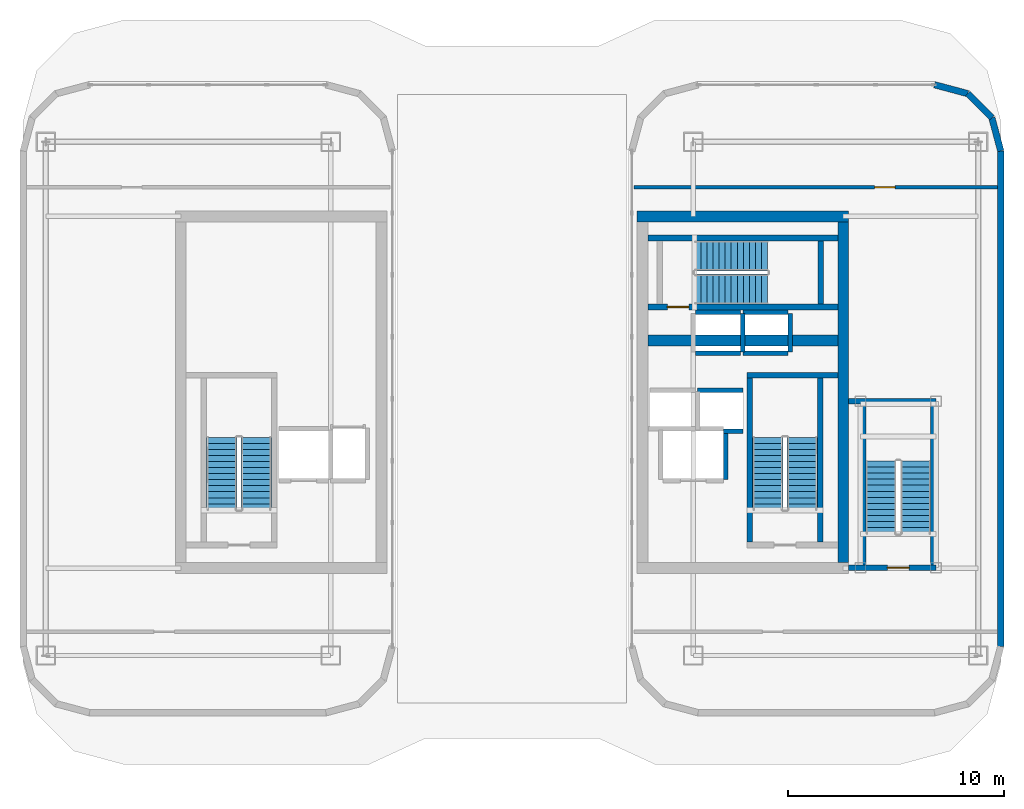
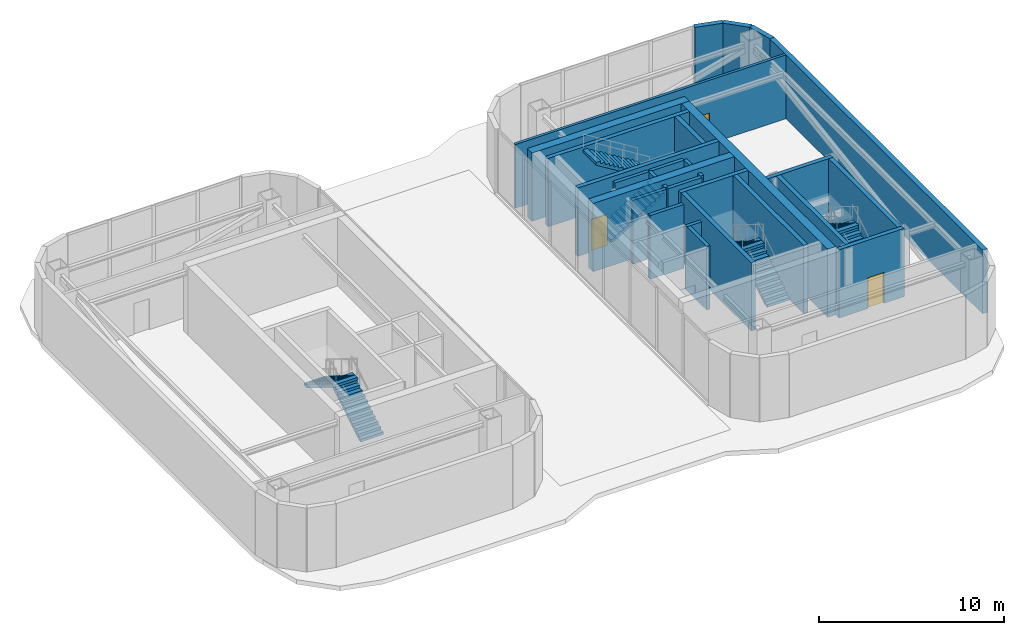
# One storey, part 12 of 14: 27 walls, 8 stair flights, 3 doors, 3 openings, 4 elements without a shape of their own.
"""IFC4 building model written with IfcOpenShell, lengths in metres."""

from ifc_helpers import new_model, si_unit, direction, frame, frame_2d, origin, place, context, subcontext, project, spatial, polyline, rectangle, outline, extrude, material, layer, layer_set, type_object, element, fill, aggregate, save


model = new_model("IFC4")

# Units and contexts
model_context = context("Model", 3, precision=1e-05, world=origin(), true_north=direction((0.0, 1.0)))
body_context = subcontext(model_context, "Body", "Model", "MODEL_VIEW")
ifc_project = project(units=[si_unit("LENGTHUNIT", "METRE"), si_unit("AREAUNIT", "SQUARE_METRE"), si_unit("VOLUMEUNIT", "CUBIC_METRE"), si_unit("PLANEANGLEUNIT", "RADIAN"), si_unit("MASSUNIT", "GRAM", prefix="KILO")], contexts=[model_context])

# Site, building, storey
site_placement = place(None, origin())
site = spatial("IfcSite", under=ifc_project, at=site_placement, CompositionType="ELEMENT")
building_placement = place(site_placement, origin())
building = spatial("IfcBuilding", under=site, at=building_placement, Name="Kiyonajd Concourse Tower", CompositionType="ELEMENT")
storey_placement = place(building_placement, frame((0.0, 0.0, 354.89990234375)))
storey = spatial("IfcBuildingStorey", under=building, at=storey_placement, Name="L89", CompositionType="ELEMENT", Elevation=354.89990234375)

# Walls
ifc_material_1 = material(Name="Concrete C60/75", Category="concrete")
ifc_layer_1 = layer(ifc_material_1, 0.5)
ifc_layer_set_1 = layer_set([ifc_layer_1], Name="Concrete C60/75")
wall_type_1 = type_object("IfcWallType", Name="WL-CORE-500", PredefinedType="SHEAR", material=ifc_layer_set_1)
wall_1_placement = place(storey_placement, frame((63.35009765625, 28.10009765625, 0.0), z_axis=(0.0, 0.0, 1.0), x_axis=(0.0, 1.0, 0.0)))
element("IfcWall", 1, at=wall_1_placement, inside=storey, type_object=wall_type_1, Name="L89 East Crown Outer Core Wall", PredefinedType="SHEAR", context=body_context, shape_type="SweptSolid", body=[
    extrude(rectangle(XDim=15.7998046875, YDim=0.5, at=frame_2d((7.89990234375, 0.0))), origin(), (0.0, 0.0, 1.0), 4.5),
])
wall_2_placement = place(storey_placement, frame((53.800048828125, 44.14990234375, 0.0), z_axis=(0.0, 0.0, 1.0), x_axis=(1.0, 0.0, 0.0)))
element("IfcWall", 2, at=wall_2_placement, inside=storey, type_object=wall_type_1, Name="L89 East Crown North Core Wall", PredefinedType="SHEAR", context=body_context, shape_type="SweptSolid", body=[
    extrude(rectangle(XDim=9.800048828125, YDim=0.5, at=frame_2d((4.89990234375, 0.0))), origin(), (0.0, 0.0, 1.0), 4.5),
])
wall_3_placement = place(storey_placement, frame((54.300048828125, 38.39990234375, 0.0), z_axis=(0.0, 0.0, 1.0), x_axis=(1.0, 0.0, 0.0)))
element("IfcWall", 3, at=wall_3_placement, inside=storey, type_object=wall_type_1, Name="L89 East Crown Mast Cross Shear Wall", PredefinedType="SHEAR", context=body_context, shape_type="SweptSolid", body=[
    extrude(rectangle(XDim=8.800048828125, YDim=0.5, at=frame_2d((4.39990234375, 0.0))), origin(), (0.0, 0.0, 1.0), 4.5),
])
ifc_material_2 = material(Name="Precast concrete C50/60", Category="concrete")
ifc_layer_2 = layer(ifc_material_2, 0.300048828125)
ifc_layer_set_2 = layer_set([ifc_layer_2], Name="Precast concrete C50/60")
wall_type_2 = type_object("IfcWallType", Name="WL-CRN-300", PredefinedType="SOLIDWALL", material=ifc_layer_set_2)
wall_4_placement = place(storey_placement, frame((67.580078125, 50.25, 0.0), z_axis=(0.0, 0.0, 1.0), x_axis=(0.96587363116, -0.259013761467, 0.0)))
element("IfcWall", 4, at=wall_4_placement, inside=storey, type_object=wall_type_2, Name="L89 E Crown Enclosure Wall 06", PredefinedType="SOLIDWALL", context=body_context, shape_type="SweptSolid", body=[
    extrude(rectangle(XDim=1.5966796875, YDim=0.300048828125, at=frame_2d((0.79833984375, 0.0))), origin(), (0.0, 0.0, 1.0), 4.2001953125),
])
wall_5_placement = place(storey_placement, frame((69.122314453125, 49.83642578125, 0.0), z_axis=(0.0, 0.0, 1.0), x_axis=(0.707184251115, -0.707029302769, 0.0)))
element("IfcWall", 5, at=wall_5_placement, inside=storey, type_object=wall_type_2, Name="L89 E Crown Enclosure Wall 07", PredefinedType="SOLIDWALL", context=body_context, shape_type="SweptSolid", body=[
    extrude(rectangle(XDim=1.57568359375, YDim=0.300048828125, at=frame_2d((0.787841796875, 0.0))), origin(), (0.0, 0.0, 1.0), 4.2001953125),
])
wall_6_placement = place(storey_placement, frame((70.236572265625, 48.722412109375, 0.0), z_axis=(0.0, 0.0, 1.0), x_axis=(0.258871110129, -0.965911874003, 0.0)))
element("IfcWall", 6, at=wall_6_placement, inside=storey, type_object=wall_type_2, Name="L89 E Crown Enclosure Wall 08", PredefinedType="SOLIDWALL", context=body_context, shape_type="SweptSolid", body=[
    extrude(rectangle(XDim=1.5966796875, YDim=0.300048828125, at=frame_2d((0.79833984375, 0.0))), origin(), (0.0, 0.0, 1.0), 4.2001953125),
])
wall_7_placement = place(storey_placement, frame((70.64990234375, 47.18017578125, 0.0), z_axis=(0.0, 0.0, 1.0), x_axis=(0.0, -1.0, 0.0)))
element("IfcWall", 7, at=wall_7_placement, inside=storey, type_object=wall_type_2, Name="L89 E Crown Enclosure Wall 09", PredefinedType="SOLIDWALL", context=body_context, shape_type="SweptSolid", body=[
    extrude(rectangle(XDim=22.96044921875, YDim=0.300048828125, at=frame_2d((11.480224609375, 0.0))), origin(), (0.0, 0.0, 1.0), 4.2001953125),
])
ifc_material_3 = material(Name="Gypsum Board on Cold-Formed Steel Stud", Category="steel")
ifc_layer_3 = layer(ifc_material_3, 0.2099609375)
ifc_layer_set_3 = layer_set([ifc_layer_3], Name="Gypsum Board on Cold-Formed Steel Stud")
wall_type_3 = type_object("IfcWallType", Name="WL-SHAFT-210", PredefinedType="PARTITIONING", material=ifc_layer_set_3)
wall_8_placement = place(storey_placement, frame((57.89990234375, 31.9599609375, 0.0), z_axis=(0.0, 0.0, 1.0), x_axis=(0.0, 1.0, 0.0)))
element("IfcWall", 8, at=wall_8_placement, inside=storey, type_object=wall_type_3, Name="L89 Shaft Enclosure Wall", PredefinedType="PARTITIONING", context=body_context, shape_type="SweptSolid", body=[
    extrude(rectangle(XDim=2.280029296875, YDim=0.2099609375, at=frame_2d((1.14013671875, 0.0))), origin(), (0.0, 0.0, 1.0), 4.2001953125),
])
wall_9_placement = place(storey_placement, frame((56.60009765625, 36.10009765625, 0.0), z_axis=(0.0, 0.0, 1.0), x_axis=(1.0, 0.0, 0.0)))
element("IfcWall", 9, at=wall_9_placement, inside=storey, type_object=wall_type_3, Name="L89 Shaft Enclosure Wall", PredefinedType="PARTITIONING", context=body_context, shape_type="SweptSolid", body=[
    extrude(rectangle(XDim=2.099853515625, YDim=0.2099609375, at=frame_2d((1.0498046875, 0.0))), origin(), (0.0, 0.0, 1.0), 4.2001953125),
])
wall_10_placement = place(storey_placement, frame((57.800048828125, 34.199951171875, 0.0), z_axis=(0.0, 0.0, 1.0), x_axis=(1.0, 0.0, 0.0)))
element("IfcWall", 10, at=wall_10_placement, inside=storey, type_object=wall_type_3, Name="L89 Shaft Enclosure Wall", PredefinedType="PARTITIONING", context=body_context, shape_type="SweptSolid", body=[
    extrude(rectangle(XDim=0.89990234375, YDim=0.2099609375, at=frame_2d((0.449951171875, 0.0))), origin(), (0.0, 0.0, 1.0), 4.2001953125),
])
for number, where, z_axis, x_axis, name in (
    (11, (56.5, 37.800048828125, 0.0), (0.0, 0.0, 1.0), (1.0, 0.0, 0.0), "L89 Shaft Enclosure Wall"),
    (12, (56.5, 39.699951171875, 0.0), (0.0, 0.0, 1.0), (1.0, 0.0, 0.0), "L89 Shaft Enclosure Wall"),
):
    element("IfcWall", number, at=place(storey_placement, frame(where, z_axis=z_axis, x_axis=x_axis)), inside=storey, type_object=wall_type_3, Name=name, PredefinedType="PARTITIONING", context=body_context, shape_type="SweptSolid", body=[
        extrude(rectangle(XDim=2.10009765625, YDim=0.2099609375, at=frame_2d((1.050048828125, 0.0))), origin(), (0.0, 0.0, 1.0), 4.2001953125),
    ])
wall_11_placement = place(storey_placement, frame((58.699951171875, 37.860107421875, 0.0), z_axis=(0.0, 0.0, 1.0), x_axis=(0.0, 1.0, 0.0)))
element("IfcWall", 13, at=wall_11_placement, inside=storey, type_object=wall_type_3, Name="L89 Shaft Enclosure Wall", PredefinedType="PARTITIONING", context=body_context, shape_type="SweptSolid", body=[
    extrude(rectangle(XDim=1.77978515625, YDim=0.2099609375, at=frame_2d((0.889892578125, 0.0))), origin(), (0.0, 0.0, 1.0), 4.2001953125),
])
for number, where, z_axis, x_axis, name in (
    (14, (58.699951171875, 37.800048828125, 0.0), (0.0, 0.0, 1.0), (1.0, 0.0, 0.0), "L89 Shaft Enclosure Wall"),
    (15, (58.699951171875, 39.699951171875, 0.0), (0.0, 0.0, 1.0), (1.0, 0.0, 0.0), "L89 Shaft Enclosure Wall"),
):
    element("IfcWall", number, at=place(storey_placement, frame(where, z_axis=z_axis, x_axis=x_axis)), inside=storey, type_object=wall_type_3, Name=name, PredefinedType="PARTITIONING", context=body_context, shape_type="SweptSolid", body=[
        extrude(rectangle(XDim=2.10009765625, YDim=0.2099609375, at=frame_2d((1.050048828125, 0.0))), origin(), (0.0, 0.0, 1.0), 4.2001953125),
    ])
wall_12_placement = place(storey_placement, frame((60.89990234375, 37.860107421875, 0.0), z_axis=(0.0, 0.0, 1.0), x_axis=(0.0, 1.0, 0.0)))
element("IfcWall", 16, at=wall_12_placement, inside=storey, type_object=wall_type_3, Name="L89 Shaft Enclosure Wall", PredefinedType="PARTITIONING", context=body_context, shape_type="SweptSolid", body=[
    extrude(rectangle(XDim=1.77978515625, YDim=0.2099609375, at=frame_2d((0.889892578125, 0.0))), origin(), (0.0, 0.0, 1.0), 4.2001953125),
])

# Wall, opening, door
ifc_layer_4 = layer(ifc_material_3, 0.169921875)
ifc_layer_set_4 = layer_set([ifc_layer_4], Name="Gypsum Board on Cold-Formed Steel Stud")
wall_type_4 = type_object("IfcWallType", Name="WL-SMK-170", PredefinedType="PARTITIONING", material=ifc_layer_set_4)
wall_13_placement = place(storey_placement, frame((53.655029296875, 45.5, 0.0), z_axis=(0.0, 0.0, 1.0), x_axis=(1.0, 0.0, 0.0)))
wall_13 = element("IfcWall", 17, at=wall_13_placement, inside=storey, type_object=wall_type_4, Name="L89 Interior Partition Wall", PredefinedType="PARTITIONING", context=body_context, shape_type="SweptSolid", body=[
    extrude(rectangle(XDim=16.849853515625, YDim=0.169921875, at=frame_2d((8.4248046875, 0.0))), origin(), (0.0, 0.0, 1.0), 4.2001953125),
])
opening_1_placement = place(wall_13_placement, frame((11.14501953125, 0.0, 0.0)))
opening_1 = element("IfcOpeningElement", 18, at=opening_1_placement, cuts=wall_13, Name="Opening DF3", PredefinedType="OPENING", context=body_context, shape_type="SweptSolid", body=[
    extrude(rectangle(XDim=0.949951171875, YDim=2.0400390625, at=frame_2d((0.47509765625, 1.02001953125))), frame((0.0, 0.094970703125, 0.0), z_axis=(0.0, -1.0, 0.0), x_axis=(1.0, 0.0, 0.0)), (0.0, 0.0, 1.0), 0.18994140625),
])
ifc_material_4 = material(Name="Brushed Stainless Steel Cab Assembly", Category="steel")
door_type_1 = type_object("IfcDoorType", Name="DR-FD60-950", OperationType="NOTDEFINED", PredefinedType="DOOR", material=ifc_material_4)
door_1_placement = place(opening_1_placement, origin())
door_1 = element("IfcDoor", 19, at=door_1_placement, inside=storey, type_object=door_type_1, Name="L89 Interior Door", OperationType="SINGLE_SWING_LEFT", OverallHeight=2.0400390625, OverallWidth=0.949951171875, PredefinedType="DOOR", context=body_context, shape_type="SweptSolid", body=[
    extrude(rectangle(XDim=0.949951171875, YDim=2.0400390625, at=frame_2d((0.47509765625, 1.02001953125))), frame((0.0, 0.02490234375, 0.0), z_axis=(0.0, -1.0, 0.0), x_axis=(1.0, 0.0, 0.0)), (0.0, 0.0, 1.0), 0.050048828125),
])
fill(opening_1, door_1)

# Walls
ifc_material_5 = material(Name="Concrete C50/60", Category="concrete")
ifc_layer_5 = layer(ifc_material_5, 0.260009765625)
ifc_layer_set_5 = layer_set([ifc_layer_5], Name="Concrete C50/60")
wall_type_5 = type_object("IfcWallType", Name="WL-STAIR-260", PredefinedType="SHEAR", material=ifc_layer_set_5)
wall_14_placement = place(storey_placement, frame((58.889892578125, 36.780029296875, 0.0), z_axis=(0.0, 0.0, 1.0), x_axis=(1.0, 0.0, 0.0)))
element("IfcWall", 20, at=wall_14_placement, inside=storey, type_object=wall_type_5, Name="L89 Stair ST2 Structural North Wall", PredefinedType="SHEAR", context=body_context, shape_type="SweptSolid", body=[
    extrude(rectangle(XDim=4.210205078125, YDim=0.260009765625, at=frame_2d((2.10498046875, 0.0))), origin(), (0.0, 0.0, 1.0), 4.5),
])
for number, where, z_axis, x_axis, name in (
    (21, (59.02001953125, 29.050048828125, 0.0), (0.0, 0.0, 1.0), (0.0, 1.0, 0.0), "L89 Stair ST2 Structural West Wall"),
    (22, (62.280029296875, 29.050048828125, 0.0), (0.0, 0.0, 1.0), (0.0, 1.0, 0.0), "L89 Stair ST2 Structural East Wall"),
):
    element("IfcWall", number, at=place(storey_placement, frame(where, z_axis=z_axis, x_axis=x_axis)), inside=storey, type_object=wall_type_5, Name=name, PredefinedType="SHEAR", context=body_context, shape_type="SweptSolid", body=[
        extrude(rectangle(XDim=7.599853515625, YDim=0.260009765625, at=frame_2d((3.7998046875, 0.0))), origin(), (0.0, 0.0, 1.0), 4.5),
    ])

# Wall, opening, door
wall_15_placement = place(storey_placement, frame((54.300048828125, 39.949951171875, 0.0), z_axis=(0.0, 0.0, 1.0), x_axis=(1.0, 0.0, 0.0)))
wall_15 = element("IfcWall", 23, at=wall_15_placement, inside=storey, type_object=wall_type_5, Name="L89 Stair ST3 Structural South Wall", PredefinedType="SHEAR", context=body_context, shape_type="SweptSolid", body=[
    extrude(rectangle(XDim=8.800048828125, YDim=0.260009765625, at=frame_2d((4.39990234375, 0.0))), origin(), (0.0, 0.0, 1.0), 4.5),
])
opening_2_placement = place(wall_15_placement, frame((0.89990234375, 0.0, 0.0)))
opening_2 = element("IfcOpeningElement", 24, at=opening_2_placement, cuts=wall_15, Name="Opening DF1", PredefinedType="OPENING", context=body_context, shape_type="SweptSolid", body=[
    extrude(rectangle(XDim=1.0, YDim=2.0400390625, at=frame_2d((0.5, 1.02001953125))), frame((0.0, 0.139892578125, 0.0), z_axis=(0.0, -1.0, 0.0), x_axis=(1.0, 0.0, 0.0)), (0.0, 0.0, 1.0), 0.280029296875),
])
door_type_2 = type_object("IfcDoorType", Name="DR-FD90-1000", OperationType="NOTDEFINED", PredefinedType="DOOR", material=ifc_material_4)
door_2_placement = place(opening_2_placement, origin())
door_2 = element("IfcDoor", 25, at=door_2_placement, inside=storey, type_object=door_type_2, Name="L89 Stair ST3 Enclosure Door", OperationType="SINGLE_SWING_LEFT", OverallHeight=2.0400390625, OverallWidth=1.0, PredefinedType="DOOR", context=body_context, shape_type="SweptSolid", body=[
    extrude(rectangle(XDim=1.0, YDim=2.0400390625, at=frame_2d((0.5, 1.02001953125))), frame((0.0, 0.02490234375, 0.0), z_axis=(0.0, -1.0, 0.0), x_axis=(1.0, 0.0, 0.0)), (0.0, 0.0, 1.0), 0.050048828125),
])
fill(opening_2, door_2)

# Walls
wall_16_placement = place(storey_placement, frame((54.300048828125, 43.14990234375, 0.0), z_axis=(0.0, 0.0, 1.0), x_axis=(1.0, 0.0, 0.0)))
element("IfcWall", 26, at=wall_16_placement, inside=storey, type_object=wall_type_5, Name="L89 Stair ST3 Structural North Wall", PredefinedType="SHEAR", context=body_context, shape_type="SweptSolid", body=[
    extrude(rectangle(XDim=8.800048828125, YDim=0.260009765625, at=frame_2d((4.39990234375, 0.0))), origin(), (0.0, 0.0, 1.0), 4.5),
])
wall_17_placement = place(storey_placement, frame((62.31005859375, 40.080078125, 0.0), z_axis=(0.0, 0.0, 1.0), x_axis=(0.0, 1.0, 0.0)))
element("IfcWall", 27, at=wall_17_placement, inside=storey, type_object=wall_type_5, Name="L89 Stair ST3 Structural East Wall", PredefinedType="SHEAR", context=body_context, shape_type="SweptSolid", body=[
    extrude(rectangle(XDim=2.93994140625, YDim=0.260009765625, at=frame_2d((1.469970703125, 0.0))), origin(), (0.0, 0.0, 1.0), 4.5),
])

# Wall, opening, door
wall_18_placement = place(storey_placement, frame((63.60009765625, 27.8701171875, 0.0), z_axis=(0.0, 0.0, 1.0), x_axis=(1.0, 0.0, 0.0)))
wall_18 = element("IfcWall", 28, at=wall_18_placement, inside=storey, type_object=wall_type_5, Name="L89 Stair ST6 Structural South Wall", PredefinedType="SHEAR", context=body_context, shape_type="SweptSolid", body=[
    extrude(rectangle(XDim=4.059814453125, YDim=0.260009765625, at=frame_2d((2.02978515625, 0.0))), origin(), (0.0, 0.0, 1.0), 4.5),
])
opening_3_placement = place(wall_18_placement, frame((1.800048828125, 0.0, 0.0)))
opening_3 = element("IfcOpeningElement", 29, at=opening_3_placement, cuts=wall_18, Name="Opening DF1", PredefinedType="OPENING", context=body_context, shape_type="SweptSolid", body=[
    extrude(rectangle(XDim=1.0, YDim=2.0400390625, at=frame_2d((0.5, 1.02001953125))), frame((0.0, 0.139892578125, 0.0), z_axis=(0.0, -1.0, 0.0), x_axis=(1.0, 0.0, 0.0)), (0.0, 0.0, 1.0), 0.280029296875),
])
door_3_placement = place(opening_3_placement, origin())
door_3 = element("IfcDoor", 30, at=door_3_placement, inside=storey, type_object=door_type_2, Name="L89 Stair ST6 Enclosure Door", OperationType="SINGLE_SWING_RIGHT", OverallHeight=2.0400390625, OverallWidth=1.0, PredefinedType="DOOR", context=body_context, shape_type="SweptSolid", body=[
    extrude(rectangle(XDim=1.0, YDim=2.0400390625, at=frame_2d((0.5, 1.02001953125))), frame((0.0, 0.02490234375, 0.0), z_axis=(0.0, -1.0, 0.0), x_axis=(1.0, 0.0, 0.0)), (0.0, 0.0, 1.0), 0.050048828125),
])
fill(opening_3, door_3)

# Walls
wall_19_placement = place(storey_placement, frame((63.60009765625, 35.580078125, 0.0), z_axis=(0.0, 0.0, 1.0), x_axis=(1.0, 0.0, 0.0)))
element("IfcWall", 31, at=wall_19_placement, inside=storey, type_object=wall_type_5, Name="L89 Stair ST6 Structural North Wall", PredefinedType="SHEAR", context=body_context, shape_type="SweptSolid", body=[
    extrude(rectangle(XDim=4.059814453125, YDim=0.260009765625, at=frame_2d((2.02978515625, 0.0))), origin(), (0.0, 0.0, 1.0), 4.5),
])
for number, where, z_axis, x_axis, name in (
    (32, (64.27001953125, 28.0, 0.0), (0.0, 0.0, 1.0), (0.0, 1.0, 0.0), "L89 Stair ST6 Structural West Wall"),
    (33, (67.530029296875, 28.0, 0.0), (0.0, 0.0, 1.0), (0.0, 1.0, 0.0), "L89 Stair ST6 Structural East Wall"),
):
    element("IfcWall", number, at=place(storey_placement, frame(where, z_axis=z_axis, x_axis=x_axis)), inside=storey, type_object=wall_type_5, Name=name, PredefinedType="SHEAR", context=body_context, shape_type="SweptSolid", body=[
        extrude(rectangle(XDim=7.449951171875, YDim=0.260009765625, at=frame_2d((3.72509765625, 0.0))), origin(), (0.0, 0.0, 1.0), 4.5),
    ])

# Stair, stair flights
ifc_material_6 = material(Name="Concrete C40/50", Category="concrete")
stair_type = type_object("IfcStairType", Name="ST-DLG-26R", PredefinedType="HALF_TURN_STAIR", material=ifc_material_6)
stair_1_placement = place(storey_placement, origin())
stair_1 = element("IfcStair", 34, at=stair_1_placement, inside=storey, type_object=stair_type, Name="L89 Protected Exit Stair ST1", PredefinedType="HALF_TURN_STAIR")
stair_flight_type = type_object("IfcStairFlightType", Name="SF-STR-26R", PredefinedType="STRAIGHT", material=ifc_material_6)
stair_flight_1_placement = place(storey_placement, frame((36.14990234375, 30.550048828125, 0.0), z_axis=(0.0, 0.0, 1.0), x_axis=(0.0, 1.0, 0.0)))
stair_flight_1 = element("IfcStairFlight", 35, at=stair_flight_1_placement, type_object=stair_flight_type, Name="ST1 flight 1", NumberOfRisers=13, NumberOfTreads=12, PredefinedType="STRAIGHT", RiserHeight=0.173076923, TreadLength=0.28, context=body_context, shape_type="SweptSolid", body=[
    extrude(outline(polyline([(0.0, 0.0), (0.0, 0.173095703125), (0.280029296875, 0.173095703125), (0.280029296875, 0.34619140625), (0.56005859375, 0.34619140625), (0.56005859375, 0.519287109375), (0.840087890625, 0.519287109375), (0.840087890625, 0.6923828125), (1.1201171875, 0.6923828125), (1.1201171875, 0.865478515625), (1.39990234375, 0.865478515625), (1.39990234375, 1.03857421875), (1.679931640625, 1.03857421875), (1.679931640625, 1.21142578125), (1.9599609375, 1.21142578125), (1.9599609375, 1.384521484375), (2.239990234375, 1.384521484375), (2.239990234375, 1.5576171875), (2.52001953125, 1.5576171875), (2.52001953125, 1.730712890625), (2.800048828125, 1.730712890625), (2.800048828125, 1.90380859375), (3.080078125, 1.90380859375), (3.080078125, 2.076904296875), (3.360107421875, 2.076904296875), (3.360107421875, 2.25), (3.360107421875, 1.900634765625), (0.28515625, 0.0), (0.0, 0.0)])), frame((0.0, 0.699951171875, 0.0), z_axis=(0.0, -1.0, 0.0), x_axis=(1.0, 0.0, 0.0)), (0.0, 0.0, 1.0), 1.39990234375),
])
stair_flight_2_placement = place(storey_placement, frame((34.550048828125, 33.909912109375, 2.25), z_axis=(0.0, 0.0, 1.0), x_axis=(0.0, -1.0, 0.0)))
stair_flight_2 = element("IfcStairFlight", 36, at=stair_flight_2_placement, type_object=stair_flight_type, Name="ST1 flight 2", NumberOfRisers=13, NumberOfTreads=12, PredefinedType="STRAIGHT", RiserHeight=0.173076923, TreadLength=0.28, context=body_context, shape_type="SweptSolid", body=[
    extrude(outline(polyline([(0.0, 0.0), (0.0, 0.173095703125), (0.280029296875, 0.173095703125), (0.280029296875, 0.34619140625), (0.56005859375, 0.34619140625), (0.56005859375, 0.519287109375), (0.840087890625, 0.519287109375), (0.840087890625, 0.6923828125), (1.1201171875, 0.6923828125), (1.1201171875, 0.865478515625), (1.39990234375, 0.865478515625), (1.39990234375, 1.03857421875), (1.679931640625, 1.03857421875), (1.679931640625, 1.21142578125), (1.9599609375, 1.21142578125), (1.9599609375, 1.384521484375), (2.239990234375, 1.384521484375), (2.239990234375, 1.5576171875), (2.52001953125, 1.5576171875), (2.52001953125, 1.730712890625), (2.800048828125, 1.730712890625), (2.800048828125, 1.90380859375), (3.080078125, 1.90380859375), (3.080078125, 2.076904296875), (3.360107421875, 2.076904296875), (3.360107421875, 2.25), (3.360107421875, 1.900634765625), (0.28515625, 0.0), (0.0, 0.0)])), frame((0.0, 0.699951171875, 0.0), z_axis=(0.0, -1.0, 0.0), x_axis=(1.0, 0.0, 0.0)), (0.0, 0.0, 1.0), 1.39990234375),
])
aggregate(stair_1, [stair_flight_1, stair_flight_2])

stair_2_placement = place(storey_placement, origin())
stair_2 = element("IfcStair", 37, at=stair_2_placement, inside=storey, type_object=stair_type, Name="L89 Protected Exit Stair ST2", PredefinedType="HALF_TURN_STAIR")
stair_flight_3_placement = place(storey_placement, frame((61.449951171875, 30.550048828125, 0.0), z_axis=(0.0, 0.0, 1.0), x_axis=(0.0, 1.0, 0.0)))
stair_flight_3 = element("IfcStairFlight", 38, at=stair_flight_3_placement, type_object=stair_flight_type, Name="ST2 flight 1", NumberOfRisers=13, NumberOfTreads=12, PredefinedType="STRAIGHT", RiserHeight=0.173076923, TreadLength=0.28, context=body_context, shape_type="SweptSolid", body=[
    extrude(outline(polyline([(0.0, 0.0), (0.0, 0.173095703125), (0.280029296875, 0.173095703125), (0.280029296875, 0.34619140625), (0.56005859375, 0.34619140625), (0.56005859375, 0.519287109375), (0.840087890625, 0.519287109375), (0.840087890625, 0.6923828125), (1.1201171875, 0.6923828125), (1.1201171875, 0.865478515625), (1.39990234375, 0.865478515625), (1.39990234375, 1.03857421875), (1.679931640625, 1.03857421875), (1.679931640625, 1.21142578125), (1.9599609375, 1.21142578125), (1.9599609375, 1.384521484375), (2.239990234375, 1.384521484375), (2.239990234375, 1.5576171875), (2.52001953125, 1.5576171875), (2.52001953125, 1.730712890625), (2.800048828125, 1.730712890625), (2.800048828125, 1.90380859375), (3.080078125, 1.90380859375), (3.080078125, 2.076904296875), (3.360107421875, 2.076904296875), (3.360107421875, 2.25), (3.360107421875, 1.900634765625), (0.28515625, 0.0), (0.0, 0.0)])), frame((0.0, 0.699951171875, 0.0), z_axis=(0.0, -1.0, 0.0), x_axis=(1.0, 0.0, 0.0)), (0.0, 0.0, 1.0), 1.39990234375),
])
stair_flight_4_placement = place(storey_placement, frame((59.85009765625, 33.909912109375, 2.25), z_axis=(0.0, 0.0, 1.0), x_axis=(0.0, -1.0, 0.0)))
stair_flight_4 = element("IfcStairFlight", 39, at=stair_flight_4_placement, type_object=stair_flight_type, Name="ST2 flight 2", NumberOfRisers=13, NumberOfTreads=12, PredefinedType="STRAIGHT", RiserHeight=0.173076923, TreadLength=0.28, context=body_context, shape_type="SweptSolid", body=[
    extrude(outline(polyline([(0.0, 0.0), (0.0, 0.173095703125), (0.280029296875, 0.173095703125), (0.280029296875, 0.34619140625), (0.56005859375, 0.34619140625), (0.56005859375, 0.519287109375), (0.840087890625, 0.519287109375), (0.840087890625, 0.6923828125), (1.1201171875, 0.6923828125), (1.1201171875, 0.865478515625), (1.39990234375, 0.865478515625), (1.39990234375, 1.03857421875), (1.679931640625, 1.03857421875), (1.679931640625, 1.21142578125), (1.9599609375, 1.21142578125), (1.9599609375, 1.384521484375), (2.239990234375, 1.384521484375), (2.239990234375, 1.5576171875), (2.52001953125, 1.5576171875), (2.52001953125, 1.730712890625), (2.800048828125, 1.730712890625), (2.800048828125, 1.90380859375), (3.080078125, 1.90380859375), (3.080078125, 2.076904296875), (3.360107421875, 2.076904296875), (3.360107421875, 2.25), (3.360107421875, 1.900634765625), (0.28515625, 0.0), (0.0, 0.0)])), frame((0.0, 0.699951171875, 0.0), z_axis=(0.0, -1.0, 0.0), x_axis=(1.0, 0.0, 0.0)), (0.0, 0.0, 1.0), 1.39990234375),
])
aggregate(stair_2, [stair_flight_3, stair_flight_4])

stair_3_placement = place(storey_placement, origin())
stair_3 = element("IfcStair", 40, at=stair_3_placement, inside=storey, type_object=stair_type, Name="L89 Protected Exit Stair ST3", PredefinedType="HALF_TURN_STAIR")
stair_flight_5_placement = place(storey_placement, frame((56.47998046875, 40.780029296875, 0.0), z_axis=(0.0, 0.0, 1.0), x_axis=(1.0, 0.0, 0.0)))
stair_flight_5 = element("IfcStairFlight", 41, at=stair_flight_5_placement, type_object=stair_flight_type, Name="ST3 flight 1", NumberOfRisers=13, NumberOfTreads=12, PredefinedType="STRAIGHT", RiserHeight=0.173076923, TreadLength=0.28, context=body_context, shape_type="SweptSolid", body=[
    extrude(outline(polyline([(0.0, 0.0), (0.0, 0.173095703125), (0.280029296875, 0.173095703125), (0.280029296875, 0.34619140625), (0.56005859375, 0.34619140625), (0.56005859375, 0.519287109375), (0.840087890625, 0.519287109375), (0.840087890625, 0.6923828125), (1.1201171875, 0.6923828125), (1.1201171875, 0.865478515625), (1.39990234375, 0.865478515625), (1.39990234375, 1.03857421875), (1.679931640625, 1.03857421875), (1.679931640625, 1.21142578125), (1.9599609375, 1.21142578125), (1.9599609375, 1.384521484375), (2.239990234375, 1.384521484375), (2.239990234375, 1.5576171875), (2.52001953125, 1.5576171875), (2.52001953125, 1.730712890625), (2.800048828125, 1.730712890625), (2.800048828125, 1.90380859375), (3.080078125, 1.90380859375), (3.080078125, 2.076904296875), (3.360107421875, 2.076904296875), (3.360107421875, 2.25), (3.360107421875, 1.900634765625), (0.28515625, 0.0), (0.0, 0.0)])), frame((0.0, 0.699951171875, 0.0), z_axis=(0.0, -1.0, 0.0), x_axis=(1.0, 0.0, 0.0)), (0.0, 0.0, 1.0), 1.39990234375),
])
stair_flight_6_placement = place(storey_placement, frame((59.840087890625, 42.320068359375, 2.25), z_axis=(0.0, 0.0, 1.0), x_axis=(-1.0, 0.0, 0.0)))
stair_flight_6 = element("IfcStairFlight", 42, at=stair_flight_6_placement, type_object=stair_flight_type, Name="ST3 flight 2", NumberOfRisers=13, NumberOfTreads=12, PredefinedType="STRAIGHT", RiserHeight=0.173076923, TreadLength=0.28, context=body_context, shape_type="SweptSolid", body=[
    extrude(outline(polyline([(0.0, 0.0), (0.0, 0.173095703125), (0.280029296875, 0.173095703125), (0.280029296875, 0.34619140625), (0.56005859375, 0.34619140625), (0.56005859375, 0.519287109375), (0.840087890625, 0.519287109375), (0.840087890625, 0.6923828125), (1.1201171875, 0.6923828125), (1.1201171875, 0.865478515625), (1.39990234375, 0.865478515625), (1.39990234375, 1.03857421875), (1.679931640625, 1.03857421875), (1.679931640625, 1.21142578125), (1.9599609375, 1.21142578125), (1.9599609375, 1.384521484375), (2.239990234375, 1.384521484375), (2.239990234375, 1.5576171875), (2.52001953125, 1.5576171875), (2.52001953125, 1.730712890625), (2.800048828125, 1.730712890625), (2.800048828125, 1.90380859375), (3.080078125, 1.90380859375), (3.080078125, 2.076904296875), (3.360107421875, 2.076904296875), (3.360107421875, 2.25), (3.360107421875, 1.900634765625), (0.28515625, 0.0), (0.0, 0.0)])), frame((0.0, 0.699951171875, 0.0), z_axis=(0.0, -1.0, 0.0), x_axis=(1.0, 0.0, 0.0)), (0.0, 0.0, 1.0), 1.39990234375),
])
aggregate(stair_3, [stair_flight_5, stair_flight_6])

stair_4_placement = place(storey_placement, origin())
stair_4 = element("IfcStair", 43, at=stair_4_placement, inside=storey, type_object=stair_type, Name="L89 East Crown Maintenance Stair ST6", PredefinedType="HALF_TURN_STAIR")
stair_flight_7_placement = place(storey_placement, frame((66.699951171875, 29.449951171875, 0.0), z_axis=(0.0, 0.0, 1.0), x_axis=(0.0, 1.0, 0.0)))
stair_flight_7 = element("IfcStairFlight", 44, at=stair_flight_7_placement, type_object=stair_flight_type, Name="ST6 flight 1", NumberOfRisers=13, NumberOfTreads=12, PredefinedType="STRAIGHT", RiserHeight=0.173076923, TreadLength=0.28, context=body_context, shape_type="SweptSolid", body=[
    extrude(outline(polyline([(0.0, 0.0), (0.0, 0.173095703125), (0.280029296875, 0.173095703125), (0.280029296875, 0.34619140625), (0.56005859375, 0.34619140625), (0.56005859375, 0.519287109375), (0.840087890625, 0.519287109375), (0.840087890625, 0.6923828125), (1.1201171875, 0.6923828125), (1.1201171875, 0.865478515625), (1.39990234375, 0.865478515625), (1.39990234375, 1.03857421875), (1.679931640625, 1.03857421875), (1.679931640625, 1.21142578125), (1.9599609375, 1.21142578125), (1.9599609375, 1.384521484375), (2.239990234375, 1.384521484375), (2.239990234375, 1.5576171875), (2.52001953125, 1.5576171875), (2.52001953125, 1.730712890625), (2.800048828125, 1.730712890625), (2.800048828125, 1.90380859375), (3.080078125, 1.90380859375), (3.080078125, 2.076904296875), (3.360107421875, 2.076904296875), (3.360107421875, 2.25), (3.360107421875, 1.900634765625), (0.28515625, 0.0), (0.0, 0.0)])), frame((0.0, 0.699951171875, 0.0), z_axis=(0.0, -1.0, 0.0), x_axis=(1.0, 0.0, 0.0)), (0.0, 0.0, 1.0), 1.39990234375),
])
stair_flight_8_placement = place(storey_placement, frame((65.10009765625, 32.81005859375, 2.25), z_axis=(0.0, 0.0, 1.0), x_axis=(0.0, -1.0, 0.0)))
stair_flight_8 = element("IfcStairFlight", 45, at=stair_flight_8_placement, type_object=stair_flight_type, Name="ST6 flight 2", NumberOfRisers=13, NumberOfTreads=12, PredefinedType="STRAIGHT", RiserHeight=0.173076923, TreadLength=0.28, context=body_context, shape_type="SweptSolid", body=[
    extrude(outline(polyline([(0.0, 0.0), (0.0, 0.173095703125), (0.280029296875, 0.173095703125), (0.280029296875, 0.34619140625), (0.56005859375, 0.34619140625), (0.56005859375, 0.519287109375), (0.840087890625, 0.519287109375), (0.840087890625, 0.6923828125), (1.1201171875, 0.6923828125), (1.1201171875, 0.865478515625), (1.39990234375, 0.865478515625), (1.39990234375, 1.03857421875), (1.679931640625, 1.03857421875), (1.679931640625, 1.21142578125), (1.9599609375, 1.21142578125), (1.9599609375, 1.384521484375), (2.239990234375, 1.384521484375), (2.239990234375, 1.5576171875), (2.52001953125, 1.5576171875), (2.52001953125, 1.730712890625), (2.800048828125, 1.730712890625), (2.800048828125, 1.90380859375), (3.080078125, 1.90380859375), (3.080078125, 2.076904296875), (3.360107421875, 2.076904296875), (3.360107421875, 2.25), (3.360107421875, 1.900634765625), (0.28515625, 0.0), (0.0, 0.0)])), frame((0.0, 0.699951171875, 0.0), z_axis=(0.0, -1.0, 0.0), x_axis=(1.0, 0.0, 0.0)), (0.0, 0.0, 1.0), 1.39990234375),
])
aggregate(stair_4, [stair_flight_7, stair_flight_8])

save(model, "model.ifc")
